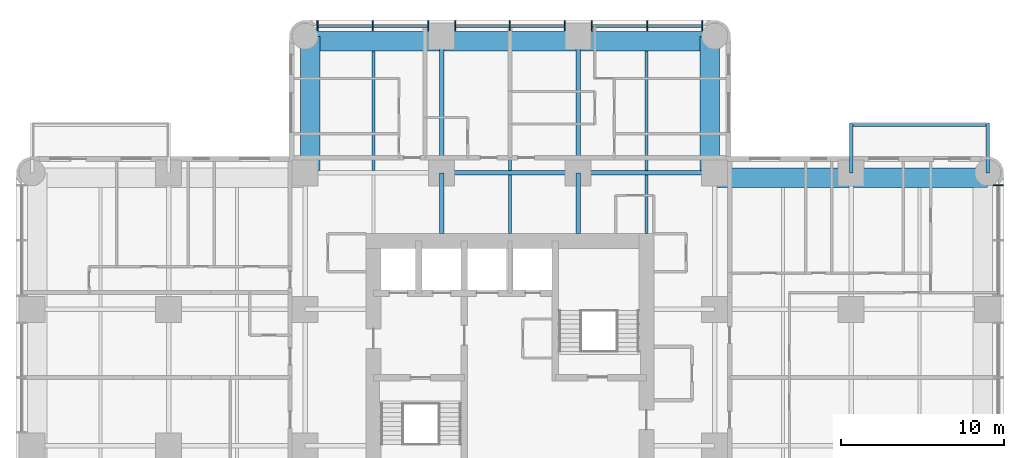
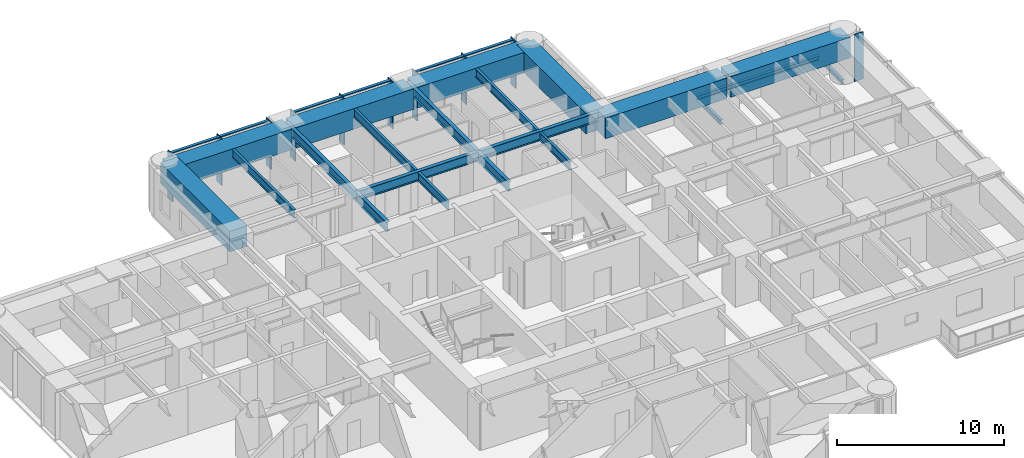
# One storey, part 4 of 14: 21 beams, 16 members, 2 elements without a shape of their own.
"""IFC4 building model written with IfcOpenShell, lengths in metres."""

import ifcopenshell
import ifcopenshell.guid

model = None  # the IFC model being written
_history = None  # IfcOwnerHistory: only IFC2X3 demands one
_inside = {}  # id of a spatial element -> (the spatial element, [elements in it])
_under = {}  # id of a project, library or spatial element -> (it, [spatial elements below it])
_declared = {}  # id of a project -> (the project, [libraries it declares])
_typed = {}  # id of a type object -> (the type object, [elements of that type])
_made_of = {}  # id of a material, layer set ... -> (it, [elements and type objects made of it])


def new_model(schema):
    """Start an empty IFC model of exactly this schema.

    Asked for "IFC4X3", IfcOpenShell would pick the latest addendum, in which some entities
    have other attributes; the version numbers below select the first issue.
    IFC2X3 requires an IfcOwnerHistory on every rooted entity: one is made here for all.
    """
    global model, _history
    if schema == "IFC4X3":
        model = ifcopenshell.file(schema_version=(4, 3, 0, 0))
    else:
        model = ifcopenshell.file(schema=schema)
    _inside.clear()
    _under.clear()
    _declared.clear()
    _typed.clear()
    _made_of.clear()
    _history = None
    if model.schema == "IFC2X3":
        org = make("IfcOrganization", Name="unknown")
        user = make(
            "IfcPersonAndOrganization",
            ThePerson=make("IfcPerson", FamilyName="unknown"),
            TheOrganization=org,
        )
        app = make(
            "IfcApplication",
            ApplicationDeveloper=org,
            Version="unknown",
            ApplicationFullName="unknown",
            ApplicationIdentifier="unknown",
        )
        _history = make(
            "IfcOwnerHistory",
            OwningUser=user,
            OwningApplication=app,
            ChangeAction="ADDED",
            CreationDate=0,
        )
    return model


def make(cls, **values):
    """One entity of the class cls with the attributes given. An attribute that is None is left unset."""
    return model.create_entity(
        cls, **{name: value for name, value in values.items() if value is not None}
    )


def rooted(cls, **values):
    """An entity with a GlobalId (a new one), such as an element, a storey or a relation."""
    return make(cls, GlobalId=ifcopenshell.guid.new(), OwnerHistory=_history, **values)


def si_unit(unit_type, name, prefix=None):
    """IfcSIUnit, for example si_unit("LENGTHUNIT", "METRE", prefix="MILLI")."""
    return make("IfcSIUnit", UnitType=unit_type, Prefix=prefix, Name=name)


def assignment(units):
    """IfcUnitAssignment: the units of a project."""
    return None if units is None else make("IfcUnitAssignment", Units=units)


def point(xyz):
    """IfcCartesianPoint."""
    return None if xyz is None else make("IfcCartesianPoint", Coordinates=xyz)


def direction(xyz):
    """IfcDirection."""
    return None if xyz is None else make("IfcDirection", DirectionRatios=xyz)


def frame(location, z_axis=None, x_axis=None):
    """IfcAxis2Placement3D, a coordinate frame: its origin and axes. An axis left out is left unset."""
    return make(
        "IfcAxis2Placement3D",
        Location=point(location),
        Axis=direction(z_axis),
        RefDirection=direction(x_axis),
    )


def frame_2d(location, x_axis=None):
    """IfcAxis2Placement2D, a coordinate frame in the plane: its origin and x axis."""
    return make(
        "IfcAxis2Placement2D", Location=point(location), RefDirection=direction(x_axis)
    )


def origin():
    """The frame at (0, 0, 0) with its axes left unset."""
    return frame((0.0, 0.0, 0.0))


def origin_2d():
    """The frame at (0, 0) in the plane with its x axis left unset."""
    return frame_2d((0.0, 0.0))


def place(relative_to, where):
    """IfcLocalPlacement: puts the frame where relative to a parent placement (None: the world)."""
    return make(
        "IfcLocalPlacement", PlacementRelTo=relative_to, RelativePlacement=where
    )


def context(
    kind, dimensions, precision=None, world=None, true_north=None, identifier=None
):
    """IfcGeometricRepresentationContext, for example the 3D "Model" context."""
    return make(
        "IfcGeometricRepresentationContext",
        ContextIdentifier=identifier,
        ContextType=kind,
        CoordinateSpaceDimension=dimensions,
        Precision=precision,
        WorldCoordinateSystem=world,
        TrueNorth=true_north,
    )


def subcontext(parent, identifier, kind, view, scale=None):
    """IfcGeometricRepresentationSubContext, for example "Body" below "Model"."""
    return make(
        "IfcGeometricRepresentationSubContext",
        ContextIdentifier=identifier,
        ContextType=kind,
        ParentContext=parent,
        TargetScale=scale,
        TargetView=view,
    )


def project(units=None, contexts=None):
    """IfcProject with its units and contexts."""
    return rooted(
        "IfcProject",
        Name="project",
        RepresentationContexts=contexts,
        UnitsInContext=assignment(units),
    )


def spatial(cls, under=None, at=None, **own):
    """A site, building, storey or space (cls), placed at a placement, below another one or the project."""
    s = rooted(cls, ObjectPlacement=at, **own)
    if under is not None:
        _under.setdefault(under.id(), (under, []))[1].append(s)
    return s


def profile(cls, at=None, kind="AREA", **sizes):
    """A parametric profile (cls). Its sizes go by their IFC names, for example OverallWidth=200.0."""
    return make(cls, ProfileType=kind, Position=at, **sizes)


def rectangle(**sizes):
    """IfcRectangleProfileDef."""
    return profile("IfcRectangleProfileDef", **sizes)


def i_section(**sizes):
    """IfcIShapeProfileDef."""
    return profile("IfcIShapeProfileDef", **sizes)


def extrude(swept, where, along, depth):
    """IfcExtrudedAreaSolid: the profile swept, set in the frame where, extruded along a direction by depth."""
    return make(
        "IfcExtrudedAreaSolid",
        SweptArea=swept,
        Position=where,
        ExtrudedDirection=direction(along),
        Depth=depth,
    )


def shape(context_of_items, identifier, shape_type, items):
    """IfcShapeRepresentation: the items that make up one representation, for example the "Body"."""
    return make(
        "IfcShapeRepresentation",
        ContextOfItems=context_of_items,
        RepresentationIdentifier=identifier,
        RepresentationType=shape_type,
        Items=items,
    )


def material(Name=None, Category=None):
    """IfcMaterial."""
    return make("IfcMaterial", Name=Name, Category=Category)


def material_profile(
    of_material, cross_section, Name=None, Category=None, Priority=None
):
    """IfcMaterialProfile: a cross section and its material."""
    return make(
        "IfcMaterialProfile",
        Name=Name,
        Material=of_material,
        Profile=cross_section,
        Priority=Priority,
        Category=Category,
    )


def profile_set(profiles, Name=None, composite=None):
    """IfcMaterialProfileSet."""
    return make(
        "IfcMaterialProfileSet",
        Name=Name,
        MaterialProfiles=profiles,
        CompositeProfile=composite,
    )


def made_of(thing, what):
    """Note that an element or type object is made of a material, layer set ...; save() writes the relation."""
    if what is not None:
        _made_of.setdefault(what.id(), (what, []))[1].append(thing)
    return thing


def type_object(cls, material=None, **own):
    """A type object (cls), such as IfcWallType, which elements share."""
    return made_of(rooted(cls, **own), material)


def element(
    cls,
    number,
    at=None,
    inside=None,
    cuts=None,
    type_object=None,
    material=None,
    context=None,
    identifier="Body",
    shape_type=None,
    held_by="IfcProductDefinitionShape",
    body=None,
    shapes=None,
    **own,
):
    """One element of the class cls, such as IfcWall. Its Tag is "e" and its number.

    at: its placement. inside: the storey or other place that contains it. cuts: it is an
    opening in that element (IfcRelVoidsElement). A single representation is given by context,
    identifier, shape_type and body (its items); several are given by shapes. held_by: the class
    of the entity that holds the representations. save() writes the other relations.
    """
    e = rooted(cls, Tag="e%d" % number, ObjectPlacement=at, **own)
    if body is not None:
        shapes = [shape(context, identifier, shape_type, body)]
    if shapes is not None:
        e.Representation = make(held_by, Representations=shapes)
    if inside is not None:
        _inside.setdefault(inside.id(), (inside, []))[1].append(e)
    if cuts is not None:
        rooted(
            "IfcRelVoidsElement", RelatingBuildingElement=cuts, RelatedOpeningElement=e
        )
    if type_object is not None:
        _typed.setdefault(type_object.id(), (type_object, []))[1].append(e)
    return made_of(e, material)


def aggregate(whole, parts):
    """IfcRelAggregates: a whole, such as a stair, and the parts it consists of."""
    return rooted("IfcRelAggregates", RelatingObject=whole, RelatedObjects=parts)


def save(model, path):
    """Write the relations noted so far, then the file.

    IfcRelAggregates (storeys below a building ...), IfcRelContainedInSpatialStructure (elements
    in a storey), IfcRelDefinesByType, IfcRelAssociatesMaterial and IfcRelDeclares: one each for
    every whole, place, type object, material and project.
    """
    for whole, parts in _under.values():
        aggregate(whole, parts)
    for where, things in _inside.values():
        rooted(
            "IfcRelContainedInSpatialStructure",
            RelatedElements=things,
            RelatingStructure=where,
        )
    for kind, things in _typed.values():
        rooted("IfcRelDefinesByType", RelatedObjects=things, RelatingType=kind)
    for what, things in _made_of.values():
        rooted("IfcRelAssociatesMaterial", RelatedObjects=things, RelatingMaterial=what)
    for by, libraries in _declared.values():
        rooted("IfcRelDeclares", RelatingContext=by, RelatedDefinitions=libraries)
    model.write(path)


model = new_model("IFC4")

# Units and contexts
model_context = context("Model", 3, precision=1e-05, world=origin(), true_north=direction((0.0, 1.0)))
body_context = subcontext(model_context, "Body", "Model", "MODEL_VIEW")
ifc_project = project(units=[si_unit("LENGTHUNIT", "METRE"), si_unit("AREAUNIT", "SQUARE_METRE"), si_unit("VOLUMEUNIT", "CUBIC_METRE"), si_unit("PLANEANGLEUNIT", "RADIAN"), si_unit("MASSUNIT", "GRAM", prefix="KILO")], contexts=[model_context])

# Site, building, storey
site_placement = place(None, origin())
site = spatial("IfcSite", under=ifc_project, at=site_placement, CompositionType="ELEMENT")
building_placement = place(site_placement, origin())
building = spatial("IfcBuilding", under=site, at=building_placement, Name="Torre Alcanfor", CompositionType="ELEMENT")
storey_placement = place(building_placement, frame((0.0, 0.0, 134.10009765625)))
storey = spatial("IfcBuildingStorey", under=building, at=storey_placement, Name="L34", CompositionType="ELEMENT", Elevation=134.10009765625)

# Beams
ifc_material_1 = material(Name="Steel ASTM A992 Grade 50", Category="steel")
ifc_material_profile_1 = material_profile(ifc_material_1, i_section(OverallWidth=0.205322265625, OverallDepth=0.309814453125, WebThickness=0.00927734375, FlangeThickness=0.016357421875, at=origin_2d()), Name="W12x50")
ifc_profile_set_1 = profile_set([ifc_material_profile_1], Name="Steel ASTM A992 Grade 50")
beam_type_1 = type_object("IfcBeamType", Name="Balcony cantilever beam W12x50", PredefinedType="BEAM", material=ifc_profile_set_1)
for number, where, z_axis, x_axis, name in (
    (1, (50.39990234375, 42.0, -0.35498046875), (0.0, 1.0, 0.0), (-1.0, 0.0, 0.0), "Balcony cantilever beam L34-E1 1"),
    (2, (58.800048828125, 42.0, -0.35498046875), (0.0, 1.0, 0.0), (-1.0, 0.0, 0.0), "Balcony cantilever beam L34-E1 2"),
):
    element("IfcBeam", number, at=place(storey_placement, frame(where, z_axis=z_axis, x_axis=x_axis)), inside=storey, type_object=beam_type_1, Name=name, PredefinedType="BEAM", context=body_context, shape_type="SweptSolid", body=[
        extrude(i_section(OverallWidth=0.205322265625, OverallDepth=0.309814453125, WebThickness=0.00927734375, FlangeThickness=0.016357421875, at=origin_2d()), origin(), (0.0, 0.0, 1.0), 3.050048828125),
    ])
ifc_material_2 = material(Name="Steel ASTM A992 Grade 50", Category="steel")
ifc_material_profile_2 = material_profile(ifc_material_2, i_section(OverallWidth=0.203369140625, OverallDepth=0.30224609375, WebThickness=0.007568359375, FlangeThickness=0.01318359375, at=origin_2d()), Name="W12x40")
ifc_profile_set_2 = profile_set([ifc_material_profile_2], Name="Steel ASTM A992 Grade 50")
beam_type_2 = type_object("IfcBeamType", Name="Balcony edge trimmer W12x40", PredefinedType="BEAM", material=ifc_profile_set_2)
beam_1_placement = place(storey_placement, frame((50.39990234375, 44.9482421875, -0.351318359375), z_axis=(1.0, 0.0, 0.0), x_axis=(0.0, 1.0, 0.0)))
element("IfcBeam", 3, at=beam_1_placement, inside=storey, type_object=beam_type_2, Name="Balcony edge trimmer L34-E1", PredefinedType="BEAM", context=body_context, shape_type="SweptSolid", body=[
    extrude(i_section(OverallWidth=0.203369140625, OverallDepth=0.30224609375, WebThickness=0.007568359375, FlangeThickness=0.01318359375, at=origin_2d()), origin(), (0.0, 0.0, 1.0), 8.400146484375),
])

# Curtain wall, member
ifc_material_3 = material(Name="Aluminium and glass", Category="aluminium")
curtain_wall_type = type_object("IfcCurtainWallType", Name="CW-A unitised apartment glazing with vertical FIN", PredefinedType="NOTDEFINED", material=ifc_material_3)
curtain_wall_1_placement = place(storey_placement, origin())
curtain_wall_1 = element("IfcCurtainWall", 4, at=curtain_wall_1_placement, inside=storey, type_object=curtain_wall_type, Name="Curtain wall CW-A L34 8", PredefinedType="NOTDEFINED")
ifc_material_4 = material(Name="Bronze anodised aluminium", Category="aluminium")
ifc_material_profile_3 = material_profile(ifc_material_4, rectangle(XDim=0.60009765625, YDim=0.06494140625, at=origin_2d()), Name="CW-A mullion 65x600")
ifc_profile_set_3 = profile_set([ifc_material_profile_3], Name="Bronze anodised aluminium")
member_type_1 = type_object("IfcMemberType", Name="CW-A mullion with vertical FIN 65x600", PredefinedType="MULLION", material=ifc_profile_set_3)
member_1_placement = place(storey_placement, frame((59.449951171875, 41.24267578125, 0.0), z_axis=(0.0, 0.0, 1.0), x_axis=(-1.0, 0.0, 0.0)))
member_1 = element("IfcMember", 5, at=member_1_placement, type_object=member_type_1, Name="CW-A mullion 3.3", PredefinedType="MULLION", context=body_context, shape_type="SweptSolid", body=[
    extrude(rectangle(XDim=0.60009765625, YDim=0.06494140625, at=origin_2d()), origin(), (0.0, 0.0, 1.0), 3.449951171875),
])
aggregate(curtain_wall_1, [member_1])

# Curtain wall, members
curtain_wall_2_placement = place(storey_placement, origin())
curtain_wall_2 = element("IfcCurtainWall", 6, at=curtain_wall_2_placement, inside=storey, type_object=curtain_wall_type, Name="Curtain wall CW-A L34 11", PredefinedType="NOTDEFINED")
member_2_placement = place(storey_placement, frame((41.24267578125, 51.050048828125, 0.0), z_axis=(0.0, 0.0, 1.0), x_axis=(0.0, -1.0, 0.0)))
member_2 = element("IfcMember", 7, at=member_2_placement, type_object=member_type_1, Name="CW-A mullion 1.1", PredefinedType="MULLION", context=body_context, shape_type="SweptSolid", body=[
    extrude(rectangle(XDim=0.60009765625, YDim=0.06494140625, at=origin_2d()), origin(), (0.0, 0.0, 1.0), 3.449951171875),
])
member_3_placement = place(storey_placement, frame((37.840087890625, 51.050048828125, 0.0), z_axis=(0.0, 0.0, 1.0), x_axis=(0.0, -1.0, 0.0)))
member_3 = element("IfcMember", 8, at=member_3_placement, type_object=member_type_1, Name="CW-A mullion 1.2", PredefinedType="MULLION", context=body_context, shape_type="SweptSolid", body=[
    extrude(rectangle(XDim=0.60009765625, YDim=0.06494140625, at=origin_2d()), origin(), (0.0, 0.0, 1.0), 3.449951171875),
])
member_4_placement = place(storey_placement, frame((34.4375, 51.050048828125, 0.0), z_axis=(0.0, 0.0, 1.0), x_axis=(0.0, -1.0, 0.0)))
member_4 = element("IfcMember", 9, at=member_4_placement, type_object=member_type_1, Name="CW-A mullion 1.3", PredefinedType="MULLION", context=body_context, shape_type="SweptSolid", body=[
    extrude(rectangle(XDim=0.60009765625, YDim=0.06494140625, at=origin_2d()), origin(), (0.0, 0.0, 1.0), 3.449951171875),
])
member_5_placement = place(storey_placement, frame((32.762451171875, 51.050048828125, 0.0), z_axis=(0.0, 0.0, 1.0), x_axis=(0.0, -1.0, 0.0)))
member_5 = element("IfcMember", 10, at=member_5_placement, type_object=member_type_1, Name="CW-A mullion 2.1", PredefinedType="MULLION", context=body_context, shape_type="SweptSolid", body=[
    extrude(rectangle(XDim=0.60009765625, YDim=0.06494140625, at=origin_2d()), origin(), (0.0, 0.0, 1.0), 3.449951171875),
])
member_6_placement = place(storey_placement, frame((29.39990234375, 51.050048828125, 0.0), z_axis=(0.0, 0.0, 1.0), x_axis=(0.0, -1.0, 0.0)))
member_6 = element("IfcMember", 11, at=member_6_placement, type_object=member_type_1, Name="CW-A mullion 2.2", PredefinedType="MULLION", context=body_context, shape_type="SweptSolid", body=[
    extrude(rectangle(XDim=0.60009765625, YDim=0.06494140625, at=origin_2d()), origin(), (0.0, 0.0, 1.0), 3.449951171875),
])
member_7_placement = place(storey_placement, frame((26.03759765625, 51.050048828125, 0.0), z_axis=(0.0, 0.0, 1.0), x_axis=(0.0, -1.0, 0.0)))
member_7 = element("IfcMember", 12, at=member_7_placement, type_object=member_type_1, Name="CW-A mullion 2.3", PredefinedType="MULLION", context=body_context, shape_type="SweptSolid", body=[
    extrude(rectangle(XDim=0.60009765625, YDim=0.06494140625, at=origin_2d()), origin(), (0.0, 0.0, 1.0), 3.449951171875),
])
member_8_placement = place(storey_placement, frame((24.362548828125, 51.050048828125, 0.0), z_axis=(0.0, 0.0, 1.0), x_axis=(0.0, -1.0, 0.0)))
member_8 = element("IfcMember", 13, at=member_8_placement, type_object=member_type_1, Name="CW-A mullion 3.1", PredefinedType="MULLION", context=body_context, shape_type="SweptSolid", body=[
    extrude(rectangle(XDim=0.60009765625, YDim=0.06494140625, at=origin_2d()), origin(), (0.0, 0.0, 1.0), 3.449951171875),
])
member_9_placement = place(storey_placement, frame((20.9599609375, 51.050048828125, 0.0), z_axis=(0.0, 0.0, 1.0), x_axis=(0.0, -1.0, 0.0)))
member_9 = element("IfcMember", 14, at=member_9_placement, type_object=member_type_1, Name="CW-A mullion 3.2", PredefinedType="MULLION", context=body_context, shape_type="SweptSolid", body=[
    extrude(rectangle(XDim=0.60009765625, YDim=0.06494140625, at=origin_2d()), origin(), (0.0, 0.0, 1.0), 3.449951171875),
])
member_10_placement = place(storey_placement, frame((17.557373046875, 51.050048828125, 0.0), z_axis=(0.0, 0.0, 1.0), x_axis=(0.0, -1.0, 0.0)))
member_10 = element("IfcMember", 15, at=member_10_placement, type_object=member_type_1, Name="CW-A mullion 3.3", PredefinedType="MULLION", context=body_context, shape_type="SweptSolid", body=[
    extrude(rectangle(XDim=0.60009765625, YDim=0.06494140625, at=origin_2d()), origin(), (0.0, 0.0, 1.0), 3.449951171875),
])
ifc_material_5 = material(Name="Extruded aluminium", Category="aluminium")
ifc_material_profile_4 = material_profile(ifc_material_5, rectangle(XDim=0.199951171875, YDim=0.06494140625, at=origin_2d()), Name="CW-A transom 200x65")
ifc_profile_set_4 = profile_set([ifc_material_profile_4], Name="Extruded aluminium")
member_type_2 = type_object("IfcMemberType", Name="CW-A transom 65x200", PredefinedType="USERDEFINED", material=ifc_profile_set_4)
member_11_placement = place(storey_placement, frame((41.210205078125, 51.050048828125, 3.41748046875), z_axis=(-1.0, 0.0, 0.0), x_axis=(0.0, -1.0, 0.0)))
member_11 = element("IfcMember", 16, at=member_11_placement, type_object=member_type_2, Name="CW-A transom 1.1.2", ObjectType="TRANSOM", PredefinedType="USERDEFINED", context=body_context, shape_type="SweptSolid", body=[
    extrude(rectangle(XDim=0.199951171875, YDim=0.06494140625, at=origin_2d()), origin(), (0.0, 0.0, 1.0), 3.337646484375),
])
member_12_placement = place(storey_placement, frame((37.8076171875, 51.050048828125, 3.41748046875), z_axis=(-1.0, 0.0, 0.0), x_axis=(0.0, -1.0, 0.0)))
member_12 = element("IfcMember", 17, at=member_12_placement, type_object=member_type_2, Name="CW-A transom 1.2.2", ObjectType="TRANSOM", PredefinedType="USERDEFINED", context=body_context, shape_type="SweptSolid", body=[
    extrude(rectangle(XDim=0.199951171875, YDim=0.06494140625, at=origin_2d()), origin(), (0.0, 0.0, 1.0), 3.337646484375),
])
member_13_placement = place(storey_placement, frame((32.72998046875, 51.050048828125, 3.41748046875), z_axis=(-1.0, 0.0, 0.0), x_axis=(0.0, -1.0, 0.0)))
member_13 = element("IfcMember", 18, at=member_13_placement, type_object=member_type_2, Name="CW-A transom 2.1.2", ObjectType="TRANSOM", PredefinedType="USERDEFINED", context=body_context, shape_type="SweptSolid", body=[
    extrude(rectangle(XDim=0.199951171875, YDim=0.06494140625, at=origin_2d()), origin(), (0.0, 0.0, 1.0), 3.29736328125),
])
member_14_placement = place(storey_placement, frame((29.367431640625, 51.050048828125, 3.41748046875), z_axis=(-1.0, 0.0, 0.0), x_axis=(0.0, -1.0, 0.0)))
member_14 = element("IfcMember", 19, at=member_14_placement, type_object=member_type_2, Name="CW-A transom 2.2.2", ObjectType="TRANSOM", PredefinedType="USERDEFINED", context=body_context, shape_type="SweptSolid", body=[
    extrude(rectangle(XDim=0.199951171875, YDim=0.06494140625, at=origin_2d()), origin(), (0.0, 0.0, 1.0), 3.29736328125),
])
member_15_placement = place(storey_placement, frame((24.330078125, 51.050048828125, 3.41748046875), z_axis=(-1.0, 0.0, 0.0), x_axis=(0.0, -1.0, 0.0)))
member_15 = element("IfcMember", 20, at=member_15_placement, type_object=member_type_2, Name="CW-A transom 3.1.2", ObjectType="TRANSOM", PredefinedType="USERDEFINED", context=body_context, shape_type="SweptSolid", body=[
    extrude(rectangle(XDim=0.199951171875, YDim=0.06494140625, at=origin_2d()), origin(), (0.0, 0.0, 1.0), 3.337646484375),
])
member_16_placement = place(storey_placement, frame((20.927490234375, 51.050048828125, 3.41748046875), z_axis=(-1.0, 0.0, 0.0), x_axis=(0.0, -1.0, 0.0)))
member_16 = element("IfcMember", 21, at=member_16_placement, type_object=member_type_2, Name="CW-A transom 3.2.2", ObjectType="TRANSOM", PredefinedType="USERDEFINED", context=body_context, shape_type="SweptSolid", body=[
    extrude(rectangle(XDim=0.199951171875, YDim=0.06494140625, at=origin_2d()), origin(), (0.0, 0.0, 1.0), 3.337646484375),
])
aggregate(curtain_wall_2, [member_2, member_3, member_4, member_11, member_12, member_5, member_6, member_7, member_13, member_14, member_8, member_9, member_10, member_15, member_16])

# Beams
ifc_material_6 = material(Name="Steel ASTM A992 Grade 50", Category="steel")
ifc_material_profile_5 = material_profile(ifc_material_6, i_section(OverallWidth=0.25390625, OverallDepth=0.683349609375, WebThickness=0.012451171875, FlangeThickness=0.01904296875, at=origin_2d()), Name="W27x94")
ifc_profile_set_5 = profile_set([ifc_material_profile_5], Name="Steel ASTM A992 Grade 50")
beam_type_3 = type_object("IfcBeamType", Name="Girder W27x94", PredefinedType="BEAM", material=ifc_profile_set_5)
beam_2_placement = place(storey_placement, frame((25.199951171875, 42.0, 3.108154296875), z_axis=(1.0, 0.0, 0.0), x_axis=(0.0, 1.0, 0.0)))
element("IfcBeam", 22, at=beam_2_placement, inside=storey, type_object=beam_type_3, Name="Beam 4H-5H under L35", PredefinedType="BEAM", context=body_context, shape_type="SweptSolid", body=[
    extrude(i_section(OverallWidth=0.25390625, OverallDepth=0.683349609375, WebThickness=0.012451171875, FlangeThickness=0.01904296875, at=origin_2d()), origin(), (0.0, 0.0, 1.0), 8.400146484375),
])
for number, where, z_axis, x_axis, name in (
    (23, (33.60009765625, 42.0, 3.108154296875), (1.0, 0.0, 0.0), (0.0, 1.0, 0.0), "Beam 5H-6H under L35"),
    (24, (25.199951171875, 42.0, 3.108154296875), (0.0, 1.0, 0.0), (-1.0, 0.0, 0.0), "Beam 4H-4J under L35"),
    (25, (33.60009765625, 42.0, 3.108154296875), (0.0, 1.0, 0.0), (-1.0, 0.0, 0.0), "Beam 5H-5J under L35"),
):
    element("IfcBeam", number, at=place(storey_placement, frame(where, z_axis=z_axis, x_axis=x_axis)), inside=storey, type_object=beam_type_3, Name=name, PredefinedType="BEAM", context=body_context, shape_type="SweptSolid", body=[
        extrude(i_section(OverallWidth=0.25390625, OverallDepth=0.683349609375, WebThickness=0.012451171875, FlangeThickness=0.01904296875, at=origin_2d()), origin(), (0.0, 0.0, 1.0), 8.39990234375),
    ])
ifc_material_7 = material(Name="Steel ASTM A992 Grade 50", Category="steel")
ifc_material_profile_6 = material_profile(ifc_material_7, i_section(OverallWidth=0.25390625, OverallDepth=0.683349609375, WebThickness=0.012451171875, FlangeThickness=0.01904296875, at=origin_2d()), Name="W27x94")
ifc_profile_set_6 = profile_set([ifc_material_profile_6], Name="Steel ASTM A992 Grade 50")
beam_type_4 = type_object("IfcBeamType", Name="Girder, part bay W27x94", PredefinedType="BEAM", material=ifc_profile_set_6)
for number, where, z_axis, x_axis, name in (
    (26, (25.199951171875, 42.0, 3.108154296875), (0.0, -1.0, 0.0), (1.0, 0.0, 0.0), "Beam 4H-438_25 under L35"),
    (27, (33.60009765625, 42.0, 3.108154296875), (0.0, -1.0, 0.0), (1.0, 0.0, 0.0), "Beam 5H-538_25 under L35"),
):
    element("IfcBeam", number, at=place(storey_placement, frame(where, z_axis=z_axis, x_axis=x_axis)), inside=storey, type_object=beam_type_4, Name=name, PredefinedType="BEAM", context=body_context, shape_type="SweptSolid", body=[
        extrude(i_section(OverallWidth=0.25390625, OverallDepth=0.683349609375, WebThickness=0.012451171875, FlangeThickness=0.01904296875, at=origin_2d()), origin(), (0.0, 0.0, 1.0), 3.75),
    ])
ifc_material_8 = material(Name="Concrete f'c 70 MPa", Category="concrete")
ifc_material_profile_7 = material_profile(ifc_material_8, rectangle(XDim=1.199951171875, YDim=1.5, at=origin_2d()), Name="1200x1500")
ifc_profile_set_7 = profile_set([ifc_material_profile_7], Name="Concrete f'c 70 MPa")
beam_type_5 = type_object("IfcBeamType", Name="RC perimeter beam 1200x1500", PredefinedType="BEAM", material=ifc_profile_set_7)
beam_3_placement = place(storey_placement, frame((41.873046875, 41.699951171875, 2.699951171875), z_axis=(1.0, 0.0, 0.0), x_axis=(0.0, 1.0, 0.0)))
element("IfcBeam", 28, at=beam_3_placement, inside=storey, type_object=beam_type_5, Name="Beam 6H-7H under L35", PredefinedType="BEAM", context=body_context, shape_type="SweptSolid", body=[
    extrude(rectangle(XDim=1.199951171875, YDim=1.5, at=origin_2d()), origin(), (0.0, 0.0, 1.0), 8.39990234375),
])
for number, where, z_axis, x_axis, name in (
    (29, (50.527099609375, 41.699951171875, 2.699951171875), (1.0, 0.0, 0.0), (0.0, 1.0, 0.0), "Beam 7H-8H under L35"),
    (30, (16.800048828125, 50.10009765625, 2.699951171875), (1.0, 0.0, 0.0), (0.0, 1.0, 0.0), "Beam 3J-4J under L35"),
):
    element("IfcBeam", number, at=place(storey_placement, frame(where, z_axis=z_axis, x_axis=x_axis)), inside=storey, type_object=beam_type_5, Name=name, PredefinedType="BEAM", context=body_context, shape_type="SweptSolid", body=[
        extrude(rectangle(XDim=1.199951171875, YDim=1.5, at=origin_2d()), origin(), (0.0, 0.0, 1.0), 8.27294921875),
    ])
beam_4_placement = place(storey_placement, frame((25.326904296875, 50.10009765625, 2.699951171875), z_axis=(1.0, 0.0, 0.0), x_axis=(0.0, 1.0, 0.0)))
element("IfcBeam", 31, at=beam_4_placement, inside=storey, type_object=beam_type_5, Name="Beam 4J-5J under L35", PredefinedType="BEAM", context=body_context, shape_type="SweptSolid", body=[
    extrude(rectangle(XDim=1.199951171875, YDim=1.5, at=origin_2d()), origin(), (0.0, 0.0, 1.0), 8.14599609375),
])
for number, where, z_axis, x_axis, name in (
    (32, (33.72705078125, 50.10009765625, 2.699951171875), (1.0, 0.0, 0.0), (0.0, 1.0, 0.0), "Beam 5J-6J under L35"),
    (33, (17.10009765625, 42.126953125, 2.699951171875), (0.0, 1.0, 0.0), (-1.0, 0.0, 0.0), "Beam 3H-3J under L35"),
    (34, (41.699951171875, 42.126953125, 2.699951171875), (0.0, 1.0, 0.0), (-1.0, 0.0, 0.0), "Beam 6H-6J under L35"),
):
    element("IfcBeam", number, at=place(storey_placement, frame(where, z_axis=z_axis, x_axis=x_axis)), inside=storey, type_object=beam_type_5, Name=name, PredefinedType="BEAM", context=body_context, shape_type="SweptSolid", body=[
        extrude(rectangle(XDim=1.199951171875, YDim=1.5, at=origin_2d()), origin(), (0.0, 0.0, 1.0), 8.27294921875),
    ])
ifc_material_9 = material(Name="Steel ASTM A992 Grade 50", Category="steel")
ifc_material_profile_8 = material_profile(ifc_material_9, i_section(OverallWidth=0.1787109375, OverallDepth=0.60205078125, WebThickness=0.010986328125, FlangeThickness=0.014892578125, at=origin_2d()), Name="W24x62")
ifc_profile_set_8 = profile_set([ifc_material_profile_8], Name="Steel ASTM A992 Grade 50")
beam_type_6 = type_object("IfcBeamType", Name="Secondary beam W24x62", PredefinedType="BEAM", material=ifc_profile_set_8)
for number, where, z_axis, x_axis, name in (
    (35, (21.0, 42.126953125, 3.14892578125), (0.0, 1.0, 0.0), (-1.0, 0.0, 0.0), "Beam 21H-21J under L35"),
    (36, (29.39990234375, 42.126953125, 3.14892578125), (0.0, 1.0, 0.0), (-1.0, 0.0, 0.0), "Beam 29_4H-29_4J under L35"),
    (37, (37.800048828125, 42.126953125, 3.14892578125), (0.0, 1.0, 0.0), (-1.0, 0.0, 0.0), "Beam 37_8H-37_8J under L35"),
):
    element("IfcBeam", number, at=place(storey_placement, frame(where, z_axis=z_axis, x_axis=x_axis)), inside=storey, type_object=beam_type_6, Name=name, PredefinedType="BEAM", context=body_context, shape_type="SweptSolid", body=[
        extrude(i_section(OverallWidth=0.1787109375, OverallDepth=0.60205078125, WebThickness=0.010986328125, FlangeThickness=0.014892578125, at=origin_2d()), origin(), (0.0, 0.0, 1.0), 7.373046875),
    ])
ifc_material_10 = material(Name="Steel ASTM A992 Grade 50", Category="steel")
ifc_material_profile_9 = material_profile(ifc_material_10, i_section(OverallWidth=0.1787109375, OverallDepth=0.60205078125, WebThickness=0.010986328125, FlangeThickness=0.014892578125, at=origin_2d()), Name="W24x62")
ifc_profile_set_9 = profile_set([ifc_material_profile_9], Name="Steel ASTM A992 Grade 50")
beam_type_7 = type_object("IfcBeamType", Name="Secondary beam, part bay W24x62", PredefinedType="BEAM", material=ifc_profile_set_9)
for number, where, z_axis, x_axis, name in (
    (38, (29.39990234375, 38.25, 3.14892578125), (0.0, 1.0, 0.0), (-1.0, 0.0, 0.0), "Beam 29_438_25-29_4H under L35"),
    (39, (37.800048828125, 38.25, 3.14892578125), (0.0, 1.0, 0.0), (-1.0, 0.0, 0.0), "Beam 37_838_25-37_8H under L35"),
):
    element("IfcBeam", number, at=place(storey_placement, frame(where, z_axis=z_axis, x_axis=x_axis)), inside=storey, type_object=beam_type_7, Name=name, PredefinedType="BEAM", context=body_context, shape_type="SweptSolid", body=[
        extrude(i_section(OverallWidth=0.1787109375, OverallDepth=0.60205078125, WebThickness=0.010986328125, FlangeThickness=0.014892578125, at=origin_2d()), origin(), (0.0, 0.0, 1.0), 3.623046875),
    ])

save(model, "model.ifc")
